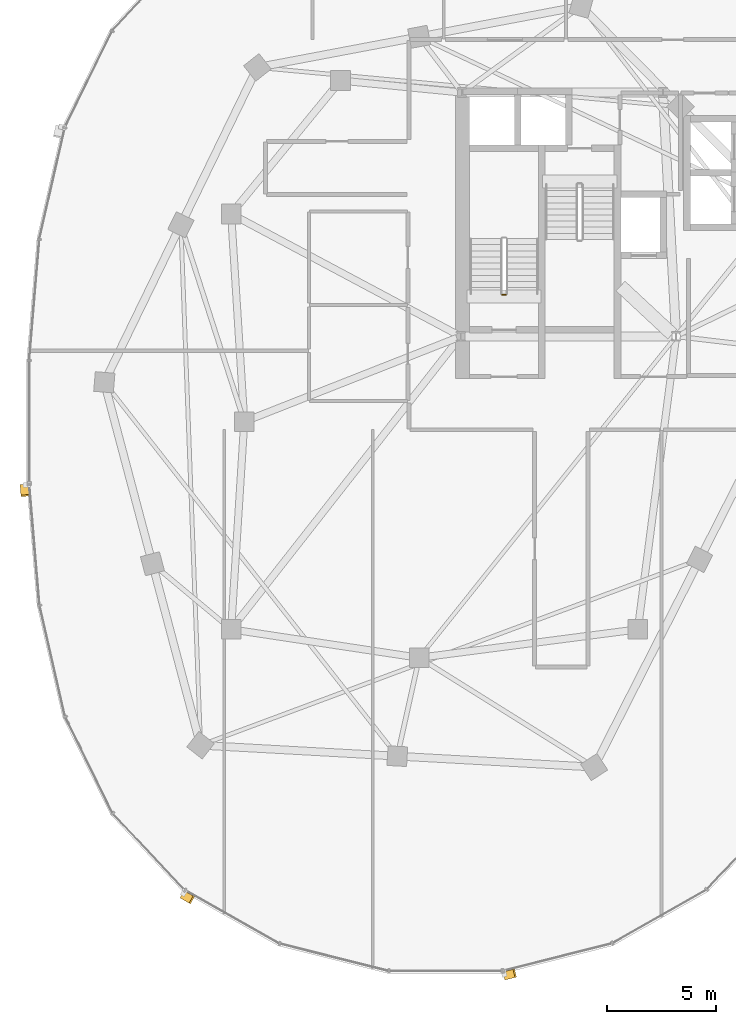
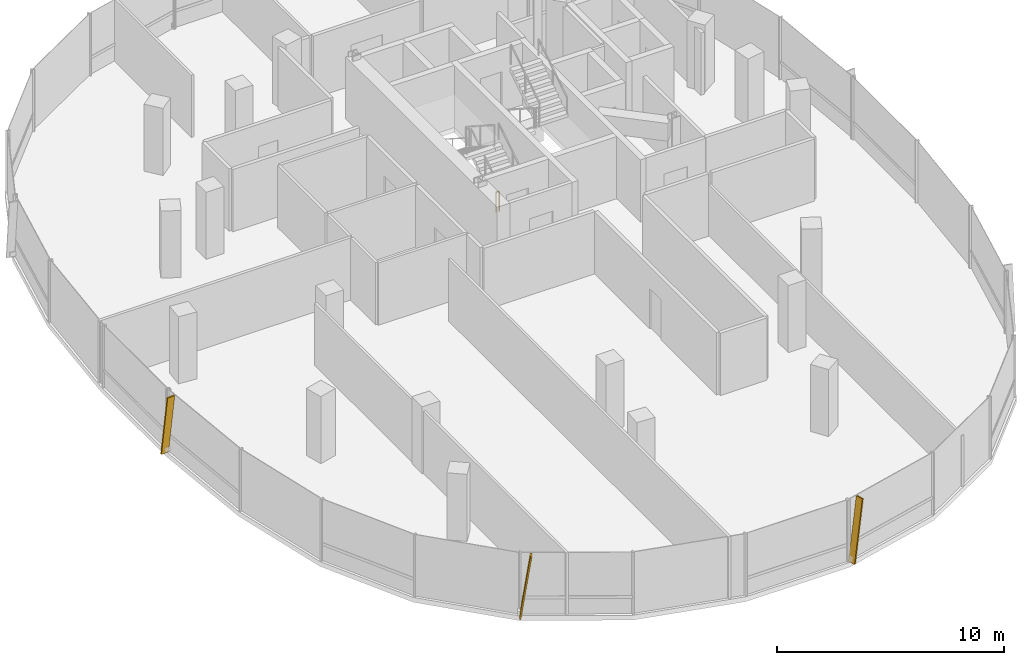
# One storey, part 21 of 25: 3 shading devices, 1 railing.
"""IFC4 building model written with IfcOpenShell, lengths in metres."""

from ifc_helpers import new_model, si_unit, direction, frame, origin, origin_2d, place, context, subcontext, project, spatial, rectangle, extrude, material, material_profile, profile_set, type_object, element, save


model = new_model("IFC4")

# Units and contexts
model_context = context("Model", 3, precision=1e-05, world=origin(), true_north=direction((0.0, 1.0)))
body_context = subcontext(model_context, "Body", "Model", "MODEL_VIEW")
ifc_project = project(units=[si_unit("LENGTHUNIT", "METRE"), si_unit("AREAUNIT", "SQUARE_METRE"), si_unit("VOLUMEUNIT", "CUBIC_METRE"), si_unit("PLANEANGLEUNIT", "RADIAN"), si_unit("MASSUNIT", "GRAM", prefix="KILO"), si_unit("THERMODYNAMICTEMPERATUREUNIT", "KELVIN"), si_unit("POWERUNIT", "WATT")], contexts=[model_context])

# Site, building, storey
site_placement = place(None, origin())
site = spatial("IfcSite", under=ifc_project, at=site_placement, CompositionType="ELEMENT")
building_placement = place(site_placement, origin())
building = spatial("IfcBuilding", under=site, at=building_placement, Name="Cundina Bronze Exchange", CompositionType="ELEMENT")
storey_placement = place(building_placement, frame((0.0, 0.0, 199.0)))
storey = spatial("IfcBuildingStorey", under=building, at=storey_placement, Name="L52", CompositionType="ELEMENT", Elevation=199.0)

# Railing
ifc_material_1 = material(Name="Steel ASTM A36 Painted", Category="steel")
railing_type = type_object("IfcRailingType", Name="RLG-STG-1100", PredefinedType="GUARDRAIL", material=ifc_material_1)
railing_placement = place(storey_placement, frame((-29.239990234375, 5.800048828125, 0.0)))
element("IfcRailing", 1, at=railing_placement, inside=storey, type_object=railing_type, Name="L52 ST-W1 stair guard 4", PredefinedType="GUARDRAIL", context=body_context, shape_type="SweptSolid", body=[
    extrude(rectangle(XDim=0.048095703125, YDim=0.048095703125, at=origin_2d()), frame((0.0, 0.0, 1.076171875), z_axis=(-1.0, 0.0, 0.0), x_axis=(0.0, -1.0, 0.0)), (0.0, 0.0, 1.0), 0.159912109375),
    extrude(rectangle(XDim=0.0419921875, YDim=0.0419921875, at=origin_2d()), origin(), (0.0, 0.0, 1.0), 1.052001953125),
    extrude(rectangle(XDim=0.0419921875, YDim=0.0419921875, at=origin_2d()), frame((-0.159912109375, 0.0, 0.0)), (0.0, 0.0, 1.0), 1.052001953125),
])

# Shading devices
ifc_material_2 = material(Name="Anodised Bronze Aluminium 6063-T6", Category="aluminium")
ifc_material_profile = material_profile(ifc_material_2, rectangle(XDim=0.070068359375, YDim=0.3798828125, at=origin_2d()), Name="FIN70X380", Category="aluminium")
ifc_profile_set = profile_set([ifc_material_profile], Name="Anodised Bronze Aluminium 6063-T6")
shading_device_type = type_object("IfcShadingDeviceType", Name="SHD-FIN-BRZ380", PredefinedType="USERDEFINED", material=ifc_profile_set)
for number, where, z_axis, x_axis, name in (
    (2, (-51.264404296875, -2.90283203125, 0.02001953125), (0.012006555776, -0.143419772964, 0.98958911238), (-0.082555834947, 0.986139516224, 0.143921466983), "L52 Diagonal Bronze Solar Fin 1"),
    (3, (-44.015625, -21.635498046875, 0.02001953125), (0.125189514072, -0.071087145125, 0.989582843103), (-0.860526986551, 0.488638423358, 0.143964567292), "L52 Diagonal Bronze Solar Fin 5"),
    (4, (-29.294189453125, -25.344482421875, 0.02001953125), (0.139611891367, 0.03514090606, 0.989582556693), (-0.959650042543, -0.24154799183, 0.143966536007), "L52 Diagonal Bronze Solar Fin 1"),
):
    element("IfcShadingDevice", number, at=place(storey_placement, frame(where, z_axis=z_axis, x_axis=x_axis)), inside=storey, type_object=shading_device_type, Name=name, ObjectType="FIN", PredefinedType="USERDEFINED", context=body_context, shape_type="SweptSolid", body=[
        extrude(rectangle(XDim=0.070068359375, YDim=0.3798828125, at=origin_2d()), origin(), (0.0, 0.0, 1.0), 3.334716796875),
    ])

save(model, "model.ifc")
